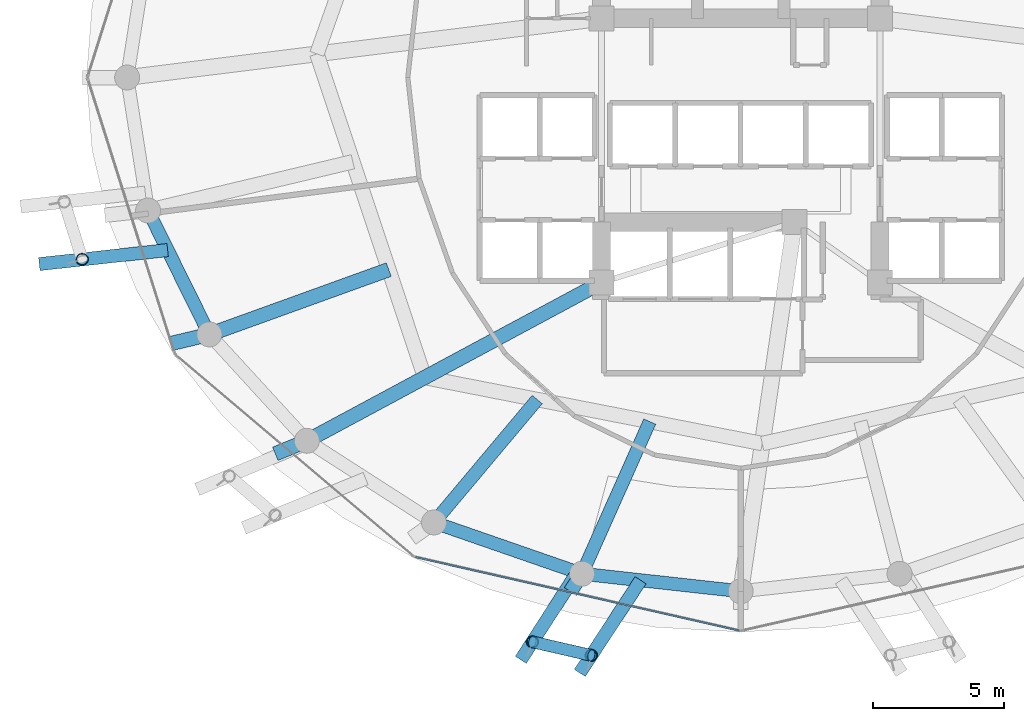
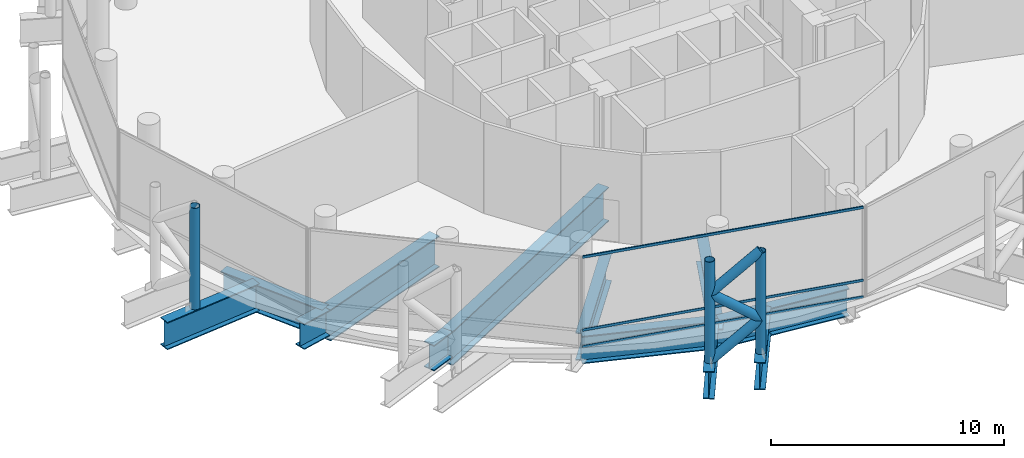
# One storey, part 3 of 29: 13 beams, 9 members, 1 element without a shape of its own.
"""IFC4 building model written with IfcOpenShell, lengths in metres."""

from ifc_helpers import new_model, si_unit, direction, frame, origin, origin_2d, place, context, subcontext, project, spatial, hollow_rectangle, hollow_circle, i_section, extrude, material, layer, layer_set, material_profile, profile_set, type_object, element, aggregate, save


model = new_model("IFC4")

# Units and contexts
model_context = context("Model", 3, precision=1e-05, world=origin(), true_north=direction((0.0, 1.0)))
body_context = subcontext(model_context, "Body", "Model", "MODEL_VIEW")
ifc_project = project(units=[si_unit("LENGTHUNIT", "METRE"), si_unit("AREAUNIT", "SQUARE_METRE"), si_unit("VOLUMEUNIT", "CUBIC_METRE"), si_unit("PLANEANGLEUNIT", "RADIAN"), si_unit("MASSUNIT", "GRAM", prefix="KILO")], contexts=[model_context])

# Site, building, storey
site_placement = place(None, origin())
site = spatial("IfcSite", under=ifc_project, at=site_placement, CompositionType="ELEMENT")
building_placement = place(site_placement, origin())
building = spatial("IfcBuilding", under=site, at=building_placement, Name="Nuhasar Tower", CompositionType="ELEMENT")
storey_placement = place(building_placement, frame((0.0, 0.0, 113.25)))
storey = spatial("IfcBuildingStorey", under=building, at=storey_placement, Name="L26", CompositionType="ELEMENT", Elevation=113.25)

# Beams
ifc_material_1 = material(Name="Steel S460", Category="steel")
ifc_material_profile_1 = material_profile(ifc_material_1, i_section(OverallWidth=0.550048828125, OverallDepth=1.35009765625, WebThickness=0.028076171875, FlangeThickness=0.050048828125, at=origin_2d()), Name="PG1350X550")
ifc_profile_set_1 = profile_set([ifc_material_profile_1], Name="Steel S460")
beam_type_1 = type_object("IfcBeamType", Name="BM-XFER-PG1350", PredefinedType="USERDEFINED", material=ifc_profile_set_1)
beam_1_placement = place(storey_placement, frame((22.489013671875, 12.97607421875, -0.9951171875), z_axis=(-0.924619742312, -0.380891496528, 0.0), x_axis=(0.380891496528, -0.924619742312, 0.0)))
element("IfcBeam", 1, at=beam_1_placement, inside=storey, type_object=beam_type_1, Name="L26 Radial Step Transfer Girder 01", ObjectType="GIRDER", PredefinedType="USERDEFINED", context=body_context, shape_type="SweptSolid", body=[
    extrude(i_section(OverallWidth=0.550048828125, OverallDepth=1.35009765625, WebThickness=0.028076171875, FlangeThickness=0.050048828125, at=origin_2d()), origin(), (0.0, 0.0, 1.0), 1.2998046875),
])
beam_2_placement = place(storey_placement, frame((32.95703125, 7.916015625, -0.9951171875), z_axis=(-0.545445760903, -0.838146122053, 0.0), x_axis=(0.838146122053, -0.545445760903, 0.0)))
element("IfcBeam", 2, at=beam_2_placement, inside=storey, type_object=beam_type_1, Name="L26 Outer Column Step Transfer Girder 18", ObjectType="GIRDER", PredefinedType="USERDEFINED", context=body_context, shape_type="SweptSolid", body=[
    extrude(i_section(OverallWidth=0.550048828125, OverallDepth=1.35009765625, WebThickness=0.028076171875, FlangeThickness=0.050048828125, at=origin_2d()), origin(), (0.0, 0.0, 1.0), 0.806640625),
])
beam_3_placement = place(storey_placement, frame((18.778076171875, 17.02490234375, -0.9951171875), z_axis=(-0.972904802505, -0.231206066665, 0.0), x_axis=(0.231206066665, -0.972904802505, 0.0)))
element("IfcBeam", 3, at=beam_3_placement, inside=storey, type_object=beam_type_1, Name="L26 Outer Column Step Transfer Girder 15", ObjectType="GIRDER", PredefinedType="USERDEFINED", context=body_context, shape_type="SweptSolid", body=[
    extrude(i_section(OverallWidth=0.550048828125, OverallDepth=1.35009765625, WebThickness=0.028076171875, FlangeThickness=0.050048828125, at=origin_2d()), origin(), (0.0, 0.0, 1.0), 1.51318359375),
])
ifc_material_profile_2 = material_profile(ifc_material_1, i_section(OverallWidth=0.5, OverallDepth=1.449951171875, WebThickness=0.028076171875, FlangeThickness=0.050048828125, at=origin_2d()), Name="PG1450X500")
ifc_profile_set_2 = profile_set([ifc_material_profile_2], Name="Steel S460")
beam_type_2 = type_object("IfcBeamType", Name="BM-XFER-PG1450", PredefinedType="USERDEFINED", material=ifc_profile_set_2)
beam_4_placement = place(storey_placement, frame((16.446044921875, 21.739990234375, -1.044921875), z_axis=(0.443329327657, -0.896358804966, 0.0), x_axis=(0.896358804966, 0.443329327657, 0.0)))
element("IfcBeam", 4, at=beam_4_placement, inside=storey, type_object=beam_type_2, Name="L26 Perimeter Ring Spandrel 14", ObjectType="GIRDER", PredefinedType="USERDEFINED", context=body_context, shape_type="SweptSolid", body=[
    extrude(i_section(OverallWidth=0.5, OverallDepth=1.449951171875, WebThickness=0.028076171875, FlangeThickness=0.050048828125, at=origin_2d()), origin(), (0.0, 0.0, 1.0), 5.26025390625),
])
beam_5_placement = place(storey_placement, frame((27.324951171875, 9.868896484375, -1.044921875), z_axis=(0.944814057608, -0.327607076458, 0.0), x_axis=(0.327607076458, 0.944814057608, 0.0)))
element("IfcBeam", 5, at=beam_5_placement, inside=storey, type_object=beam_type_2, Name="L26 Perimeter Ring Spandrel 17", ObjectType="GIRDER", PredefinedType="USERDEFINED", context=body_context, shape_type="SweptSolid", body=[
    extrude(i_section(OverallWidth=0.5, OverallDepth=1.449951171875, WebThickness=0.028076171875, FlangeThickness=0.050048828125, at=origin_2d()), origin(), (0.0, 0.0, 1.0), 5.9609375),
])
beam_6_placement = place(storey_placement, frame((32.95703125, 7.916015625, -1.044921875), z_axis=(0.993981289157, -0.109549974015, 0.0), x_axis=(0.109549974015, 0.993981289157, 0.0)))
element("IfcBeam", 6, at=beam_6_placement, inside=storey, type_object=beam_type_2, Name="L26 Perimeter Ring Spandrel 18", ObjectType="GIRDER", PredefinedType="USERDEFINED", context=body_context, shape_type="SweptSolid", body=[
    extrude(i_section(OverallWidth=0.5, OverallDepth=1.449951171875, WebThickness=0.028076171875, FlangeThickness=0.050048828125, at=origin_2d()), origin(), (0.0, 0.0, 1.0), 6.07958984375),
])
beam_7_placement = place(storey_placement, frame((31.2548828125, 14.547119140625, -1.044921875), z_axis=(-0.643213639824, -0.765686759415, 0.0), x_axis=(0.765686759415, -0.643213639824, 0.0)))
element("IfcBeam", 7, at=beam_7_placement, inside=storey, type_object=beam_type_2, Name="L26 Inner Column Transfer Girder 17", ObjectType="GIRDER", PredefinedType="USERDEFINED", context=body_context, shape_type="SweptSolid", body=[
    extrude(i_section(OverallWidth=0.5, OverallDepth=1.449951171875, WebThickness=0.028076171875, FlangeThickness=0.050048828125, at=origin_2d()), origin(), (0.0, 0.0, 1.0), 6.10986328125),
])
beam_8_placement = place(storey_placement, frame((35.5380859375, 13.708984375, -1.044921875), z_axis=(-0.406981239763, -0.913436516941, 0.0), x_axis=(0.913436516941, -0.406981239763, 0.0)))
element("IfcBeam", 8, at=beam_8_placement, inside=storey, type_object=beam_type_2, Name="L26 Inner Column Transfer Girder 18", ObjectType="GIRDER", PredefinedType="USERDEFINED", context=body_context, shape_type="SweptSolid", body=[
    extrude(i_section(OverallWidth=0.5, OverallDepth=1.449951171875, WebThickness=0.028076171875, FlangeThickness=0.050048828125, at=origin_2d()), origin(), (0.0, 0.0, 1.0), 6.342041015625),
])
beam_9_placement = place(storey_placement, frame((17.19091796875, 20.23388671875, -1.044921875), z_axis=(-0.994095842058, -0.108505561161, 0.0), x_axis=(0.108505561161, -0.994095842058, 0.0)))
element("IfcBeam", 9, at=beam_9_placement, inside=storey, type_object=beam_type_2, Name="L26 Exoskeleton Step Transfer Girder 14", ObjectType="GIRDER", PredefinedType="USERDEFINED", context=body_context, shape_type="SweptSolid", body=[
    extrude(i_section(OverallWidth=0.5, OverallDepth=1.449951171875, WebThickness=0.028076171875, FlangeThickness=0.050048828125, at=origin_2d()), origin(), (0.0, 0.0, 1.0), 4.911865234375),
])
beam_10_placement = place(storey_placement, frame((32.784912109375, 7.97607421875, -1.044921875), z_axis=(-0.542598629004, -0.839992099846, 0.0), x_axis=(0.839992099846, -0.542598629004, 0.0)))
element("IfcBeam", 10, at=beam_10_placement, inside=storey, type_object=beam_type_2, Name="L26 Exoskeleton Step Transfer Girder 17", ObjectType="GIRDER", PredefinedType="USERDEFINED", context=body_context, shape_type="SweptSolid", body=[
    extrude(i_section(OverallWidth=0.5, OverallDepth=1.449951171875, WebThickness=0.028076171875, FlangeThickness=0.050048828125, at=origin_2d()), origin(), (0.0, 0.0, 1.0), 3.9716796875),
])
beam_11_placement = place(storey_placement, frame((35.18701171875, 7.669921875, -1.044921875), z_axis=(-0.547869852879, -0.836563580552, 0.0), x_axis=(0.836563580552, -0.547869852879, 0.0)))
element("IfcBeam", 11, at=beam_11_placement, inside=storey, type_object=beam_type_2, Name="L26 Exoskeleton Step Transfer Girder 18", ObjectType="GIRDER", PredefinedType="USERDEFINED", context=body_context, shape_type="SweptSolid", body=[
    extrude(i_section(OverallWidth=0.5, OverallDepth=1.449951171875, WebThickness=0.028076171875, FlangeThickness=0.050048828125, at=origin_2d()), origin(), (0.0, 0.0, 1.0), 4.21826171875),
])
ifc_material_profile_3 = material_profile(ifc_material_1, i_section(OverallWidth=0.550048828125, OverallDepth=1.64990234375, WebThickness=0.031982421875, FlangeThickness=0.054931640625, at=origin_2d()), Name="PG1650X550")
ifc_profile_set_3 = profile_set([ifc_material_profile_3], Name="Steel S460")
beam_type_3 = type_object("IfcBeamType", Name="BM-XFER-PG1650", PredefinedType="USERDEFINED", material=ifc_profile_set_3)
beam_12_placement = place(storey_placement, frame((25.60498046875, 19.490966796875, -1.14501953125), z_axis=(-0.940518974628, -0.339741163778, 0.0), x_axis=(0.339741163778, -0.940518974628, 0.0)))
element("IfcBeam", 12, at=beam_12_placement, inside=storey, type_object=beam_type_3, Name="L26 Inner Column Transfer Girder 15", ObjectType="GIRDER", PredefinedType="USERDEFINED", context=body_context, shape_type="SweptSolid", body=[
    extrude(i_section(OverallWidth=0.550048828125, OverallDepth=1.64990234375, WebThickness=0.031982421875, FlangeThickness=0.054931640625, at=origin_2d()), origin(), (0.0, 0.0, 1.0), 7.258544921875),
])
ifc_material_profile_4 = material_profile(ifc_material_1, i_section(OverallWidth=0.550048828125, OverallDepth=1.800048828125, WebThickness=0.031982421875, FlangeThickness=0.054931640625, at=origin_2d()), Name="PG1800X550")
ifc_profile_set_4 = profile_set([ifc_material_profile_4], Name="Steel S460")
beam_type_4 = type_object("IfcBeamType", Name="BM-XFER-PG1800", PredefinedType="USERDEFINED", material=ifc_profile_set_4)
beam_13_placement = place(storey_placement, frame((33.699951171875, 19.0, -1.219970703125), z_axis=(-0.880888386928, -0.473324043098, 0.0), x_axis=(0.473324043098, -0.880888386928, 0.0)))
element("IfcBeam", 13, at=beam_13_placement, inside=storey, type_object=beam_type_4, Name="L26 Radial Floor Girder 01", ObjectType="GIRDER", PredefinedType="USERDEFINED", context=body_context, shape_type="SweptSolid", body=[
    extrude(i_section(OverallWidth=0.550048828125, OverallDepth=1.800048828125, WebThickness=0.031982421875, FlangeThickness=0.054931640625, at=origin_2d()), origin(), (0.0, 0.0, 1.0), 12.726806640625),
])

# Curtain wall, members
ifc_material_2 = material(Name="Aluminium 6063-T6", Category="aluminium")
ifc_layer = layer(ifc_material_2, 0.239990234375)
ifc_layer_set = layer_set([ifc_layer], Name="Aluminium 6063-T6")
curtain_wall_type = type_object("IfcCurtainWallType", Name="CW-SKY-LBY", PredefinedType="NOTDEFINED", material=ifc_layer_set)
curtain_wall_placement = place(storey_placement, origin())
curtain_wall = element("IfcCurtainWall", 14, at=curtain_wall_placement, inside=storey, type_object=curtain_wall_type, Name="L26 Unitised Curtain Wall 09", PredefinedType="NOTDEFINED")
ifc_material_profile_5 = material_profile(ifc_material_2, hollow_rectangle(XDim=0.06005859375, YDim=0.1298828125, WallThickness=0.00439453125, at=origin_2d()), Name="CWT-6")
ifc_profile_set_5 = profile_set([ifc_material_profile_5], Name="Aluminium 6063-T6")
member_type_1 = type_object("IfcMemberType", Name="CW-TRN-S6", PredefinedType="USERDEFINED", material=ifc_profile_set_5)
member_1_placement = place(storey_placement, frame((26.62841796875, 8.548828125, 0.030029296875), z_axis=(0.975179938574, -0.221413837423, 0.0), x_axis=(0.221413837423, 0.975179938574, 0.0)))
member_1 = element("IfcMember", 15, at=member_1_placement, type_object=member_type_1, Name="CW-SL transom 1.1", ObjectType="TRANSOM", PredefinedType="USERDEFINED", context=body_context, shape_type="SweptSolid", body=[
    extrude(hollow_rectangle(XDim=0.06005859375, YDim=0.1298828125, WallThickness=0.00439453125, at=origin_2d()), origin(), (0.0, 0.0, 1.0), 12.62646484375),
])
member_2_placement = place(storey_placement, frame((26.62841796875, 8.548828125, 0.89990234375), z_axis=(0.975179938574, -0.221413837423, 0.0), x_axis=(0.221413837423, 0.975179938574, 0.0)))
member_2 = element("IfcMember", 16, at=member_2_placement, type_object=member_type_1, Name="CW-SL transom 1.2", ObjectType="TRANSOM", PredefinedType="USERDEFINED", context=body_context, shape_type="SweptSolid", body=[
    extrude(hollow_rectangle(XDim=0.06005859375, YDim=0.1298828125, WallThickness=0.00439453125, at=origin_2d()), origin(), (0.0, 0.0, 1.0), 12.62646484375),
])
member_3_placement = place(storey_placement, frame((26.62841796875, 8.548828125, 4.719970703125), z_axis=(0.975179938574, -0.221413837423, 0.0), x_axis=(0.221413837423, 0.975179938574, 0.0)))
member_3 = element("IfcMember", 17, at=member_3_placement, type_object=member_type_1, Name="CW-SL transom 1.3", ObjectType="TRANSOM", PredefinedType="USERDEFINED", context=body_context, shape_type="SweptSolid", body=[
    extrude(hollow_rectangle(XDim=0.06005859375, YDim=0.1298828125, WallThickness=0.00439453125, at=origin_2d()), origin(), (0.0, 0.0, 1.0), 12.62646484375),
])
aggregate(curtain_wall, [member_1, member_2, member_3])

# Members
ifc_material_profile_6 = material_profile(ifc_material_1, hollow_circle(Radius=0.228515625, WallThickness=0.022216796875, at=origin_2d()), Name="HSS457X22.2")
ifc_profile_set_6 = profile_set([ifc_material_profile_6], Name="Steel S460")
member_type_2 = type_object("IfcMemberType", Name="EXO-BRONZE-457", PredefinedType="BRACE", material=ifc_profile_set_6)
for number, where, z_axis, x_axis, name in (
    (18, (13.93994140625, 19.87890625, -0.320068359375), (0.0, 0.0, 1.0), (1.0, 0.0, 0.0), "L26 Exoskeleton Chord Column EC-07B"),
    (19, (31.072021484375, 5.323974609375, -0.320068359375), (0.0, 0.0, 1.0), (1.0, 0.0, 0.0), "L26 Exoskeleton Chord Column EC-09A"),
    (20, (33.31396484375, 4.81005859375, -0.320068359375), (0.0, 0.0, 1.0), (1.0, 0.0, 0.0), "L26 Exoskeleton Chord Column EC-09B"),
):
    element("IfcMember", number, at=place(storey_placement, frame(where, z_axis=z_axis, x_axis=x_axis)), inside=storey, type_object=member_type_2, Name=name, PredefinedType="BRACE", context=body_context, shape_type="SweptSolid", body=[
        extrude(hollow_circle(Radius=0.228515625, WallThickness=0.022216796875, at=origin_2d()), origin(), (0.0, 0.0, 1.0), 5.320068359375),
    ])
member_4_placement = place(storey_placement, frame((31.072021484375, 5.323974609375, -0.320068359375), z_axis=(0.771993769121, -0.176962526843, 0.610499700681), x_axis=(0.223432882746, 0.974719316987, 0.0)))
element("IfcMember", 21, at=member_4_placement, inside=storey, type_object=member_type_2, Name="L26 Bronze Diagrid Brace W1-09", PredefinedType="BRACE", context=body_context, shape_type="SweptSolid", body=[
    extrude(hollow_circle(Radius=0.228515625, WallThickness=0.022216796875, at=origin_2d()), origin(), (0.0, 0.0, 1.0), 2.904052734375),
])
member_5_placement = place(storey_placement, frame((33.31396484375, 4.81005859375, 1.452880859375), z_axis=(-0.771795670816, 0.17691711718, 0.61076327342), x_axis=(-0.223432882746, -0.974719316987, 0.0)))
element("IfcMember", 22, at=member_5_placement, inside=storey, type_object=member_type_2, Name="L26 Bronze Diagrid Brace W2-09", PredefinedType="BRACE", context=body_context, shape_type="SweptSolid", body=[
    extrude(hollow_circle(Radius=0.228515625, WallThickness=0.022216796875, at=origin_2d()), origin(), (0.0, 0.0, 1.0), 2.90478515625),
])
member_6_placement = place(storey_placement, frame((31.072021484375, 5.323974609375, 3.22705078125), z_axis=(0.771993769121, -0.176962526843, 0.610499700681), x_axis=(0.223432882746, 0.974719316987, 0.0)))
element("IfcMember", 23, at=member_6_placement, inside=storey, type_object=member_type_2, Name="L26 Bronze Diagrid Brace W3-09", PredefinedType="BRACE", context=body_context, shape_type="SweptSolid", body=[
    extrude(hollow_circle(Radius=0.228515625, WallThickness=0.022216796875, at=origin_2d()), origin(), (0.0, 0.0, 1.0), 2.904052734375),
])

save(model, "model.ifc")
